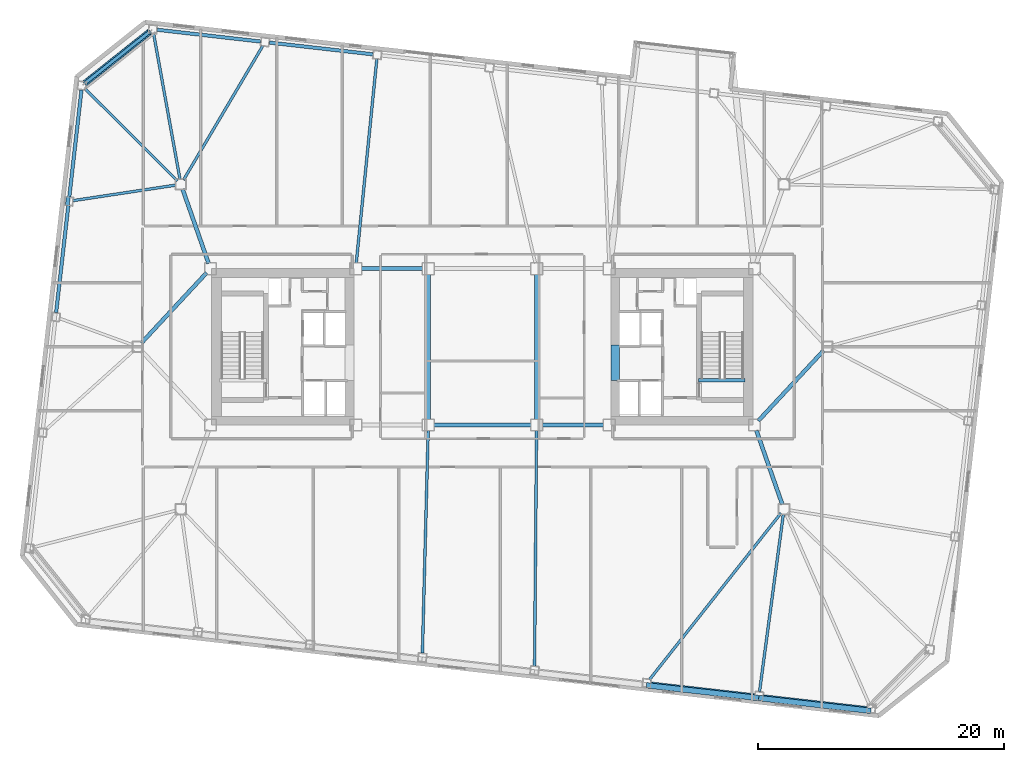
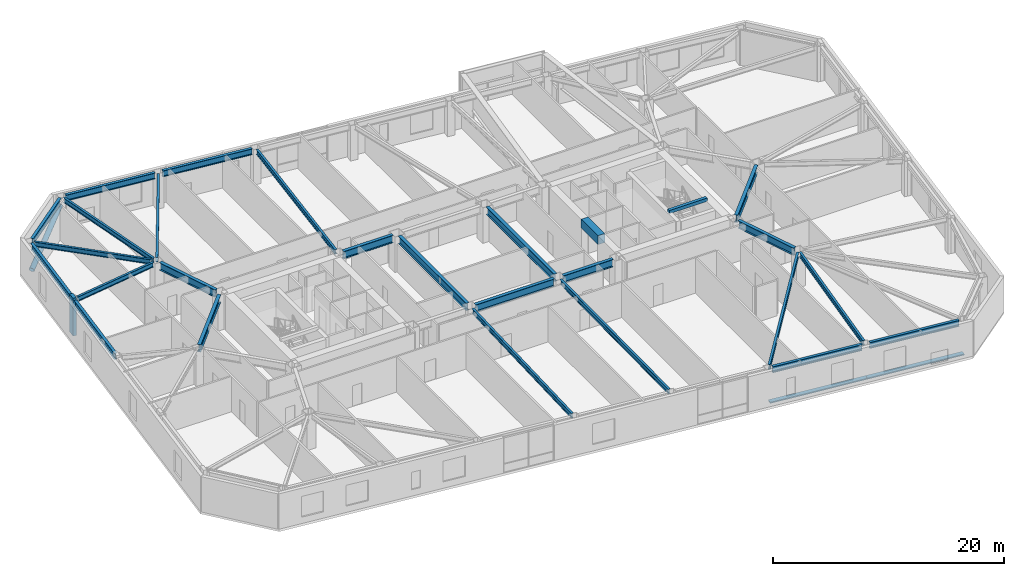
# One storey, part 7 of 23: 27 beams, 4 members.
"""IFC4 building model written with IfcOpenShell, lengths in metres."""

from ifc_helpers import new_model, si_unit, direction, frame, origin, origin_2d, place, context, subcontext, project, spatial, rectangle, hollow_circle, i_section, extrude, material, material_profile, profile_set, type_object, element, save


model = new_model("IFC4")

# Units and contexts
model_context = context("Model", 3, precision=1e-05, world=origin(), true_north=direction((0.0, 1.0)))
body_context = subcontext(model_context, "Body", "Model", "MODEL_VIEW")
ifc_project = project(units=[si_unit("LENGTHUNIT", "METRE"), si_unit("AREAUNIT", "SQUARE_METRE"), si_unit("VOLUMEUNIT", "CUBIC_METRE"), si_unit("PLANEANGLEUNIT", "RADIAN"), si_unit("MASSUNIT", "GRAM", prefix="KILO")], contexts=[model_context])

# Site, building, storey
site_placement = place(None, origin())
site = spatial("IfcSite", under=ifc_project, at=site_placement, CompositionType="ELEMENT")
building_placement = place(site_placement, origin())
building = spatial("IfcBuilding", under=site, at=building_placement, Name="Tavrogorsk Clinical Tower", CompositionType="ELEMENT")
storey_placement = place(building_placement, frame((0.0, 0.0, 113.39990234375)))
storey = spatial("IfcBuildingStorey", under=building, at=storey_placement, Name="L25", CompositionType="ELEMENT", Elevation=113.39990234375)

# Members
ifc_material_1 = material(Name="Anodised aluminium alloy AW-6063", Category="aluminium")
ifc_material_profile_1 = material_profile(ifc_material_1, rectangle(XDim=0.449951171875, YDim=0.1201171875, at=origin_2d()), Name="ALU-SUNSHADE-450x120")
ifc_profile_set_1 = profile_set([ifc_material_profile_1], Name="Anodised aluminium alloy AW-6063")
member_type_1 = type_object("IfcMemberType", Name="ChicagoSunshade_450x120", PredefinedType="USERDEFINED", material=ifc_profile_set_1)
for number, where, z_axis, x_axis, name in (
    (1, (13.326416015625, -27.502197265625, 0.18017578125), (0.993572654864, -0.113196199166, 0.0), (0.113196199166, 0.993572654864, 0.0), "L25 South Aluminium Sunshade S6"),
    (2, (22.444580078125, -28.541015625, 0.18017578125), (0.993572654864, -0.113196199166, 0.0), (0.113196199166, 0.993572654864, 0.0), "L25 South Aluminium Sunshade S7"),
):
    element("IfcMember", number, at=place(storey_placement, frame(where, z_axis=z_axis, x_axis=x_axis)), inside=storey, type_object=member_type_1, Name=name, ObjectType="SUNSHADE", PredefinedType="USERDEFINED", context=body_context, shape_type="SweptSolid", body=[
        extrude(rectangle(XDim=0.449951171875, YDim=0.1201171875, at=origin_2d()), origin(), (0.0, 0.0, 1.0), 9.17724609375),
    ])

# Beam
ifc_material_2 = material(Name="Concrete B80", Category="concrete")
ifc_material_profile_2 = material_profile(ifc_material_2, rectangle(XDim=0.699951171875, YDim=0.949951171875, at=origin_2d()), Name="RC-CB-700x950")
ifc_profile_set_2 = profile_set([ifc_material_profile_2], Name="Concrete B80")
beam_type_1 = type_object("IfcBeamType", Name="CouplingBeam_RC700x950", PredefinedType="LINTEL", material=ifc_profile_set_2)
beam_1_placement = place(storey_placement, frame((10.800048828125, -2.75, 3.26513671875), z_axis=(0.0, 1.0, 0.0), x_axis=(-1.0, 0.0, 0.0)))
element("IfcBeam", 3, at=beam_1_placement, inside=storey, type_object=beam_type_1, Name="L25 Core East Coupling Beam", PredefinedType="LINTEL", context=body_context, shape_type="SweptSolid", body=[
    extrude(rectangle(XDim=0.699951171875, YDim=0.949951171875, at=origin_2d()), origin(), (0.0, 0.0, 1.0), 2.89990234375),
])

# Member
ifc_material_3 = material(Name="Structural steel S440", Category="steel")
ifc_material_profile_3 = material_profile(ifc_material_3, hollow_circle(Radius=0.25390625, WallThickness=0.02001953125, at=origin_2d()), Name="CHS-508x20")
ifc_profile_set_3 = profile_set([ifc_material_profile_3], Name="Structural steel S440")
member_type_2 = type_object("IfcMemberType", Name="ExoBrace_CHS508", PredefinedType="BRACE", material=ifc_profile_set_3)
member_1_placement = place(storey_placement, frame((-32.27587890625, 21.431884765625, 0.425048828125), z_axis=(0.73336936718, 0.583326985798, 0.349140371371), x_axis=(-0.622500682662, 0.782619256143, 0.0)))
element("IfcMember", 4, at=member_1_placement, inside=storey, type_object=member_type_2, Name="L25 Corner Exoskeleton Brace N8-W1", PredefinedType="BRACE", context=body_context, shape_type="SweptSolid", body=[
    extrude(hollow_circle(Radius=0.25390625, WallThickness=0.02001953125, at=origin_2d()), origin(), (0.0, 0.0, 1.0), 7.1318359375),
])

# Beams
ifc_material_4 = material(Name="Structural steel S355", Category="steel")
ifc_material_profile_4 = material_profile(ifc_material_4, i_section(OverallWidth=0.219970703125, OverallDepth=0.5, WebThickness=0.012939453125, FlangeThickness=0.02001953125, at=origin_2d()), Name="B-500x220x13x20")
ifc_profile_set_4 = profile_set([ifc_material_profile_4], Name="Structural steel S355")
beam_type_2 = type_object("IfcBeamType", Name="FloorBeam_B500", PredefinedType="BEAM", material=ifc_profile_set_4)
beam_2_placement = place(storey_placement, frame((-4.411865234375, -6.809814453125, 3.489990234375), z_axis=(-0.025907273598, -0.999664350257, 0.0), x_axis=(0.999664350257, -0.025907273598, 0.0)))
element("IfcBeam", 5, at=beam_2_placement, inside=storey, type_object=beam_type_2, Name="L25 Radial Floor Beam S4", PredefinedType="BEAM", context=body_context, shape_type="SweptSolid", body=[
    extrude(i_section(OverallWidth=0.219970703125, OverallDepth=0.5, WebThickness=0.012939453125, FlangeThickness=0.02001953125, at=origin_2d()), origin(), (0.0, 0.0, 1.0), 18.083984375),
])
beam_3_placement = place(storey_placement, frame((4.39599609375, -6.81005859375, 3.489990234375), z_axis=(-0.00859471964, -0.999963064715, 0.0), x_axis=(0.999963064715, -0.00859471964, 0.0)))
element("IfcBeam", 6, at=beam_3_placement, inside=storey, type_object=beam_type_2, Name="L25 Radial Floor Beam S5", PredefinedType="BEAM", context=body_context, shape_type="SweptSolid", body=[
    extrude(i_section(OverallWidth=0.219970703125, OverallDepth=0.5, WebThickness=0.012939453125, FlangeThickness=0.02001953125, at=origin_2d()), origin(), (0.0, 0.0, 1.0), 19.1171875),
])
beam_4_placement = place(storey_placement, frame((24.245849609375, -13.521728515625, 3.489990234375), z_axis=(-0.619757312108, -0.784793523221, 0.0), x_axis=(0.784793523221, -0.619757312108, 0.0)))
element("IfcBeam", 7, at=beam_4_placement, inside=storey, type_object=beam_type_2, Name="L25 Radial Floor Beam S6", PredefinedType="BEAM", context=body_context, shape_type="SweptSolid", body=[
    extrude(i_section(OverallWidth=0.219970703125, OverallDepth=0.5, WebThickness=0.012939453125, FlangeThickness=0.02001953125, at=origin_2d()), origin(), (0.0, 0.0, 1.0), 17.22802734375),
])
beam_5_placement = place(storey_placement, frame((24.445556640625, -13.6064453125, 3.489990234375), z_axis=(-0.133025440596, -0.991112623345, 0.0), x_axis=(0.991112623345, -0.133025440596, 0.0)))
element("IfcBeam", 8, at=beam_5_placement, inside=storey, type_object=beam_type_2, Name="L25 Radial Floor Beam S7", PredefinedType="BEAM", context=body_context, shape_type="SweptSolid", body=[
    extrude(i_section(OverallWidth=0.219970703125, OverallDepth=0.5, WebThickness=0.012939453125, FlangeThickness=0.02001953125, at=origin_2d()), origin(), (0.0, 0.0, 1.0), 14.530029296875),
])
beam_6_placement = place(storey_placement, frame((-10.25390625, 6.8076171875, 3.489990234375), z_axis=(0.100407035617, 0.994946444387, 0.0), x_axis=(-0.994946444387, 0.100407035617, 0.0)))
element("IfcBeam", 9, at=beam_6_placement, inside=storey, type_object=beam_type_2, Name="L25 Radial Floor Beam N6", PredefinedType="BEAM", context=body_context, shape_type="SweptSolid", body=[
    extrude(i_section(OverallWidth=0.219970703125, OverallDepth=0.5, WebThickness=0.012939453125, FlangeThickness=0.02001953125, at=origin_2d()), origin(), (0.0, 0.0, 1.0), 16.643798828125),
])
beam_7_placement = place(storey_placement, frame((-24.291259765625, 13.552978515625, 3.489990234375), z_axis=(0.508876748392, 0.86083938975, 0.0), x_axis=(-0.86083938975, 0.508876748392, 0.0)))
element("IfcBeam", 10, at=beam_7_placement, inside=storey, type_object=beam_type_2, Name="L25 Radial Floor Beam N7", PredefinedType="BEAM", context=body_context, shape_type="SweptSolid", body=[
    extrude(i_section(OverallWidth=0.219970703125, OverallDepth=0.5, WebThickness=0.012939453125, FlangeThickness=0.02001953125, at=origin_2d()), origin(), (0.0, 0.0, 1.0), 12.663330078125),
])
beam_8_placement = place(storey_placement, frame((-24.572998046875, 13.603515625, 3.489990234375), z_axis=(-0.178287530482, 0.983978432932, 0.0), x_axis=(-0.983978432932, -0.178287530482, 0.0)))
element("IfcBeam", 11, at=beam_8_placement, inside=storey, type_object=beam_type_2, Name="L25 Radial Floor Beam N8", PredefinedType="BEAM", context=body_context, shape_type="SweptSolid", body=[
    extrude(i_section(OverallWidth=0.219970703125, OverallDepth=0.5, WebThickness=0.012939453125, FlangeThickness=0.02001953125, at=origin_2d()), origin(), (0.0, 0.0, 1.0), 12.0380859375),
])
beam_9_placement = place(storey_placement, frame((-24.790283203125, 13.48974609375, 3.489990234375), z_axis=(-0.707775090959, 0.706437839175, 0.0), x_axis=(-0.706437839175, -0.707775090959, 0.0)))
element("IfcBeam", 12, at=beam_9_placement, inside=storey, type_object=beam_type_2, Name="L25 Radial Floor Beam W1", PredefinedType="BEAM", context=body_context, shape_type="SweptSolid", body=[
    extrude(i_section(OverallWidth=0.219970703125, OverallDepth=0.5, WebThickness=0.012939453125, FlangeThickness=0.02001953125, at=origin_2d()), origin(), (0.0, 0.0, 1.0), 10.589111328125),
])
beam_10_placement = place(storey_placement, frame((-24.905517578125, 13.138671875, 3.489990234375), z_axis=(-0.98878314082, -0.149358295482, 0.0), x_axis=(0.149358295482, -0.98878314082, 0.0)))
element("IfcBeam", 13, at=beam_10_placement, inside=storey, type_object=beam_type_2, Name="L25 Radial Floor Beam W2", PredefinedType="BEAM", context=body_context, shape_type="SweptSolid", body=[
    extrude(i_section(OverallWidth=0.219970703125, OverallDepth=0.5, WebThickness=0.012939453125, FlangeThickness=0.02001953125, at=origin_2d()), origin(), (0.0, 0.0, 1.0), 8.4443359375),
])

# Member
ifc_material_5 = material(Name="Precast concrete B45 with limestone cladding", Category="masonry")
ifc_material_profile_5 = material_profile(ifc_material_5, rectangle(XDim=0.320068359375, YDim=0.719970703125, at=origin_2d()), Name="LIMESTONE-FIN-320x720")
ifc_profile_set_5 = profile_set([ifc_material_profile_5], Name="Precast concrete B45 with limestone cladding")
member_type_3 = type_object("IfcMemberType", Name="LimestonePleatFin_320x720", PredefinedType="USERDEFINED", material=ifc_profile_set_5)
member_2_placement = place(storey_placement, frame((-33.688720703125, 11.8330078125, 0.0), z_axis=(0.0, 0.0, 1.0), x_axis=(0.993571855677, -0.113203213768, 0.0)))
element("IfcMember", 14, at=member_2_placement, inside=storey, type_object=member_type_3, Name="L25 W Pleated Stone Fin 1", ObjectType="FIN", PredefinedType="USERDEFINED", context=body_context, shape_type="SweptSolid", body=[
    extrude(rectangle(XDim=0.320068359375, YDim=0.719970703125, at=origin_2d()), origin(), (0.0, 0.0, 1.0), 4.0),
])

# Beams
ifc_material_6 = material(Name="Structural steel S390", Category="steel")
ifc_material_profile_6 = material_profile(ifc_material_6, i_section(OverallWidth=0.320068359375, OverallDepth=0.800048828125, WebThickness=0.02001953125, FlangeThickness=0.033935546875, at=origin_2d()), Name="B-800x320x20x34")
ifc_profile_set_6 = profile_set([ifc_material_profile_6], Name="Structural steel S390")
beam_type_3 = type_object("IfcBeamType", Name="PrimaryGirder_B800", PredefinedType="USERDEFINED", material=ifc_profile_set_6)
beam_11_placement = place(storey_placement, frame((-9.840087890625, 6.35009765625, 3.340087890625), z_axis=(1.0, 0.0, 0.0), x_axis=(0.0, 1.0, 0.0)))
element("IfcBeam", 15, at=beam_11_placement, inside=storey, type_object=beam_type_3, Name="L25 Primary Spine Girder MG-02", ObjectType="GIRDER", PredefinedType="USERDEFINED", context=body_context, shape_type="SweptSolid", body=[
    extrude(i_section(OverallWidth=0.320068359375, OverallDepth=0.800048828125, WebThickness=0.02001953125, FlangeThickness=0.033935546875, at=origin_2d()), origin(), (0.0, 0.0, 1.0), 4.97998046875),
])
beam_12_placement = place(storey_placement, frame((-3.93994140625, -6.35009765625, 3.340087890625), z_axis=(1.0, 0.0, 0.0), x_axis=(0.0, 1.0, 0.0)))
element("IfcBeam", 16, at=beam_12_placement, inside=storey, type_object=beam_type_3, Name="L25 Primary Spine Girder MG-03", ObjectType="GIRDER", PredefinedType="USERDEFINED", context=body_context, shape_type="SweptSolid", body=[
    extrude(i_section(OverallWidth=0.320068359375, OverallDepth=0.800048828125, WebThickness=0.02001953125, FlangeThickness=0.033935546875, at=origin_2d()), origin(), (0.0, 0.0, 1.0), 7.8798828125),
])
beam_13_placement = place(storey_placement, frame((4.860107421875, -6.35009765625, 3.340087890625), z_axis=(1.0, 0.0, 0.0), x_axis=(0.0, 1.0, 0.0)))
element("IfcBeam", 17, at=beam_13_placement, inside=storey, type_object=beam_type_3, Name="L25 Primary Spine Girder MG-05", ObjectType="GIRDER", PredefinedType="USERDEFINED", context=body_context, shape_type="SweptSolid", body=[
    extrude(i_section(OverallWidth=0.320068359375, OverallDepth=0.800048828125, WebThickness=0.02001953125, FlangeThickness=0.033935546875, at=origin_2d()), origin(), (0.0, 0.0, 1.0), 4.97998046875),
])
for number, where, z_axis, x_axis, name in (
    (18, (-4.39990234375, -5.889892578125, 3.340087890625), (0.0, 1.0, 0.0), (-1.0, 0.0, 0.0), "L25 Primary Spine Girder MG-07"),
    (19, (4.39990234375, -5.889892578125, 3.340087890625), (0.0, 1.0, 0.0), (-1.0, 0.0, 0.0), "L25 Primary Spine Girder MG-08"),
):
    element("IfcBeam", number, at=place(storey_placement, frame(where, z_axis=z_axis, x_axis=x_axis)), inside=storey, type_object=beam_type_3, Name=name, ObjectType="GIRDER", PredefinedType="USERDEFINED", context=body_context, shape_type="SweptSolid", body=[
        extrude(i_section(OverallWidth=0.320068359375, OverallDepth=0.800048828125, WebThickness=0.02001953125, FlangeThickness=0.033935546875, at=origin_2d()), origin(), (0.0, 0.0, 1.0), 11.77978515625),
    ])
for number, where, z_axis, x_axis, name in (
    (20, (24.364501953125, -12.81298828125, 3.340087890625), (-0.330660234815, 0.943749865755, 0.0), (-0.943749865755, -0.330660234815, 0.0), "L25 Spine Link Girder OPG-2"),
    (21, (-24.364501953125, 12.81298828125, 3.340087890625), (0.330660234815, -0.943749865755, 0.0), (0.943749865755, 0.330660234815, 0.0), "L25 Spine Link Girder OPG-3"),
):
    element("IfcBeam", number, at=place(storey_placement, frame(where, z_axis=z_axis, x_axis=x_axis)), inside=storey, type_object=beam_type_3, Name=name, ObjectType="GIRDER", PredefinedType="USERDEFINED", context=body_context, shape_type="SweptSolid", body=[
        extrude(i_section(OverallWidth=0.320068359375, OverallDepth=0.800048828125, WebThickness=0.02001953125, FlangeThickness=0.033935546875, at=origin_2d()), origin(), (0.0, 0.0, 1.0), 6.38818359375),
    ])
for number, where, z_axis, x_axis, name in (
    (22, (-27.720947265625, 0.30029296875, 3.340087890625), (0.680675630035, 0.732584934787, 0.0), (-0.732584934787, 0.680675630035, 0.0), "L25 Spine Link Girder OPG-6"),
    (23, (27.720947265625, -0.30029296875, 3.340087890625), (-0.680675630035, -0.732584934787, 0.0), (0.732584934787, -0.680675630035, 0.0), "L25 Spine Link Girder OPG-7"),
):
    element("IfcBeam", number, at=place(storey_placement, frame(where, z_axis=z_axis, x_axis=x_axis)), inside=storey, type_object=beam_type_3, Name=name, ObjectType="GIRDER", PredefinedType="USERDEFINED", context=body_context, shape_type="SweptSolid", body=[
        extrude(i_section(OverallWidth=0.320068359375, OverallDepth=0.800048828125, WebThickness=0.02001953125, FlangeThickness=0.033935546875, at=origin_2d()), origin(), (0.0, 0.0, 1.0), 7.7978515625),
    ])
ifc_material_7 = material(Name="Structural steel S390", Category="steel")
ifc_material_profile_7 = material_profile(ifc_material_7, i_section(OverallWidth=0.280029296875, OverallDepth=0.64990234375, WebThickness=0.01611328125, FlangeThickness=0.02490234375, at=origin_2d()), Name="B-650x280x16x25")
ifc_profile_set_7 = profile_set([ifc_material_profile_7], Name="Structural steel S390")
beam_type_4 = type_object("IfcBeamType", Name="SpandrelBeam_B650", PredefinedType="SPANDREL", material=ifc_profile_set_7)
beam_14_placement = place(storey_placement, frame((13.702392578125, -27.36376953125, 3.4150390625), z_axis=(0.993569819641, -0.113221082395, 0.0), x_axis=(0.113221082395, 0.993569819641, 0.0)))
element("IfcBeam", 24, at=beam_14_placement, inside=storey, type_object=beam_type_4, Name="L25 Perimeter Spandrel S6-S7", PredefinedType="SPANDREL", context=body_context, shape_type="SweptSolid", body=[
    extrude(i_section(OverallWidth=0.280029296875, OverallDepth=0.64990234375, WebThickness=0.01611328125, FlangeThickness=0.02490234375, at=origin_2d()), origin(), (0.0, 0.0, 1.0), 8.46142578125),
])
beam_15_placement = place(storey_placement, frame((22.82080078125, -28.40283203125, 3.4150390625), z_axis=(0.99357232562, -0.113199089054, 0.0), x_axis=(0.113199089054, 0.99357232562, 0.0)))
element("IfcBeam", 25, at=beam_15_placement, inside=storey, type_object=beam_type_4, Name="L25 Perimeter Spandrel S7-S8", PredefinedType="SPANDREL", context=body_context, shape_type="SweptSolid", body=[
    extrude(i_section(OverallWidth=0.280029296875, OverallDepth=0.64990234375, WebThickness=0.01611328125, FlangeThickness=0.02490234375, at=origin_2d()), origin(), (0.0, 0.0, 1.0), 8.4609375),
])
for number, where, z_axis, x_axis, name in (
    (26, (-8.902587890625, 23.763916015625, 3.4150390625), (-0.993572695356, 0.113195843756, 0.0), (-0.113195843756, -0.993572695356, 0.0), "L25 Perimeter Spandrel N6-N7"),
    (27, (-18.020751953125, 24.802734375, 3.4150390625), (-0.993572695356, 0.113195843756, 0.0), (-0.113195843756, -0.993572695356, 0.0), "L25 Perimeter Spandrel N7-N8"),
):
    element("IfcBeam", number, at=place(storey_placement, frame(where, z_axis=z_axis, x_axis=x_axis)), inside=storey, type_object=beam_type_4, Name=name, PredefinedType="SPANDREL", context=body_context, shape_type="SweptSolid", body=[
        extrude(i_section(OverallWidth=0.280029296875, OverallDepth=0.64990234375, WebThickness=0.01611328125, FlangeThickness=0.02490234375, at=origin_2d()), origin(), (0.0, 0.0, 1.0), 8.461181640625),
    ])
beam_16_placement = place(storey_placement, frame((-27.063232421875, 25.578125, 3.4150390625), z_axis=(-0.782613271493, -0.622508206599, 0.0), x_axis=(0.622508206599, -0.782613271493, 0.0)))
element("IfcBeam", 28, at=beam_16_placement, inside=storey, type_object=beam_type_4, Name="L25 Perimeter Spandrel N8-W1", PredefinedType="SPANDREL", context=body_context, shape_type="SweptSolid", body=[
    extrude(i_section(OverallWidth=0.280029296875, OverallDepth=0.64990234375, WebThickness=0.01611328125, FlangeThickness=0.02490234375, at=origin_2d()), origin(), (0.0, 0.0, 1.0), 6.6376953125),
])
for number, where, z_axis, x_axis, name in (
    (29, (-32.578857421875, 20.867431640625, 3.4150390625), (-0.113192226434, -0.993573107464, 0.0), (0.993573107464, -0.113192226434, 0.0), "L25 Perimeter Spandrel W1-W2"),
    (30, (-33.649658203125, 11.46826171875, 3.4150390625), (-0.113219789686, -0.993569966949, 0.0), (0.993569966949, -0.113219789686, 0.0), "L25 Perimeter Spandrel W2-W3"),
):
    element("IfcBeam", number, at=place(storey_placement, frame(where, z_axis=z_axis, x_axis=x_axis)), inside=storey, type_object=beam_type_4, Name=name, PredefinedType="SPANDREL", context=body_context, shape_type="SweptSolid", body=[
        extrude(i_section(OverallWidth=0.280029296875, OverallDepth=0.64990234375, WebThickness=0.01611328125, FlangeThickness=0.02490234375, at=origin_2d()), origin(), (0.0, 0.0, 1.0), 8.743896484375),
    ])
ifc_material_8 = material(Name="Concrete B60", Category="concrete")
ifc_material_profile_8 = material_profile(ifc_material_8, rectangle(XDim=0.300048828125, YDim=0.35009765625, at=origin_2d()), Name="RC-SHB-300x350")
ifc_profile_set_8 = profile_set([ifc_material_profile_8], Name="Concrete B60")
beam_type_5 = type_object("IfcBeamType", Name="StairHeaderBeam_RC300x350", PredefinedType="BEAM", material=ifc_profile_set_8)
beam_17_placement = place(storey_placement, frame((17.550048828125, -2.719970703125, 3.8251953125), z_axis=(1.0, 0.0, 0.0), x_axis=(0.0, 1.0, 0.0)))
element("IfcBeam", 31, at=beam_17_placement, inside=storey, type_object=beam_type_5, Name="L26 ST-E Landing Header Beam", PredefinedType="BEAM", context=body_context, shape_type="SweptSolid", body=[
    extrude(rectangle(XDim=0.300048828125, YDim=0.35009765625, at=origin_2d()), origin(), (0.0, 0.0, 1.0), 3.800048828125),
])

save(model, "model.ifc")
